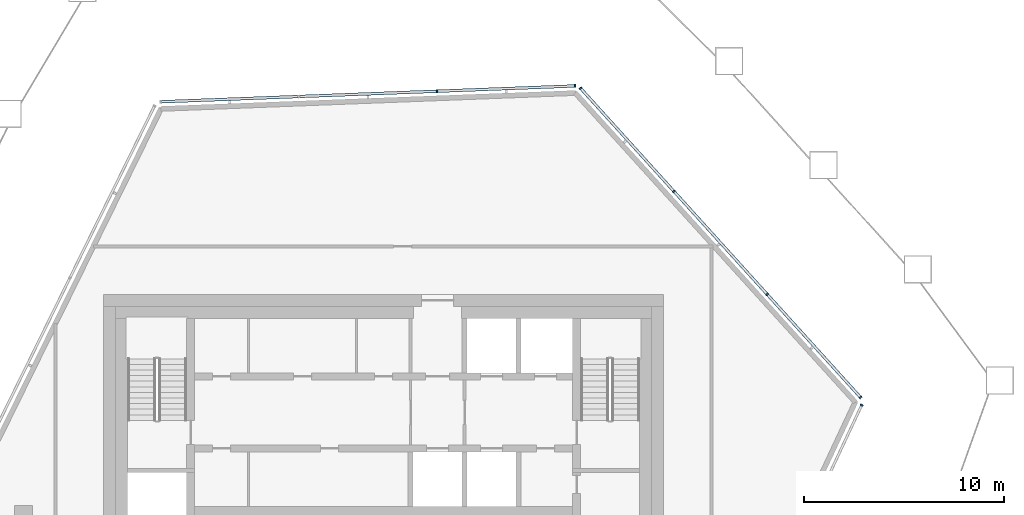
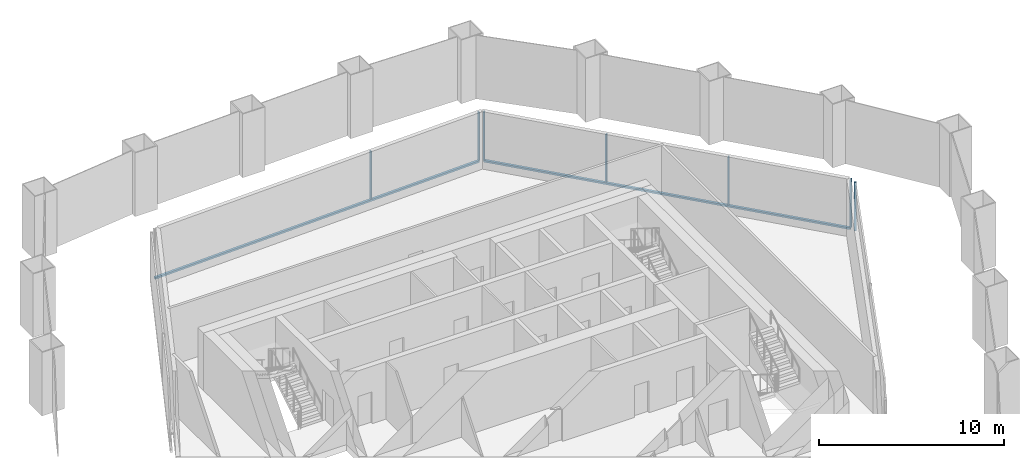
# One storey, part 6 of 18: 9 members, 3 elements without a shape of their own.
"""IFC4 building model written with IfcOpenShell, lengths in metres."""

import ifcopenshell
import ifcopenshell.guid

model = None  # the IFC model being written
_history = None  # IfcOwnerHistory: only IFC2X3 demands one
_inside = {}  # id of a spatial element -> (the spatial element, [elements in it])
_under = {}  # id of a project, library or spatial element -> (it, [spatial elements below it])
_declared = {}  # id of a project -> (the project, [libraries it declares])
_typed = {}  # id of a type object -> (the type object, [elements of that type])
_made_of = {}  # id of a material, layer set ... -> (it, [elements and type objects made of it])


def new_model(schema):
    """Start an empty IFC model of exactly this schema.

    Asked for "IFC4X3", IfcOpenShell would pick the latest addendum, in which some entities
    have other attributes; the version numbers below select the first issue.
    IFC2X3 requires an IfcOwnerHistory on every rooted entity: one is made here for all.
    """
    global model, _history
    if schema == "IFC4X3":
        model = ifcopenshell.file(schema_version=(4, 3, 0, 0))
    else:
        model = ifcopenshell.file(schema=schema)
    _inside.clear()
    _under.clear()
    _declared.clear()
    _typed.clear()
    _made_of.clear()
    _history = None
    if model.schema == "IFC2X3":
        org = make("IfcOrganization", Name="unknown")
        user = make(
            "IfcPersonAndOrganization",
            ThePerson=make("IfcPerson", FamilyName="unknown"),
            TheOrganization=org,
        )
        app = make(
            "IfcApplication",
            ApplicationDeveloper=org,
            Version="unknown",
            ApplicationFullName="unknown",
            ApplicationIdentifier="unknown",
        )
        _history = make(
            "IfcOwnerHistory",
            OwningUser=user,
            OwningApplication=app,
            ChangeAction="ADDED",
            CreationDate=0,
        )
    return model


def make(cls, **values):
    """One entity of the class cls with the attributes given. An attribute that is None is left unset."""
    return model.create_entity(
        cls, **{name: value for name, value in values.items() if value is not None}
    )


def rooted(cls, **values):
    """An entity with a GlobalId (a new one), such as an element, a storey or a relation."""
    return make(cls, GlobalId=ifcopenshell.guid.new(), OwnerHistory=_history, **values)


def si_unit(unit_type, name, prefix=None):
    """IfcSIUnit, for example si_unit("LENGTHUNIT", "METRE", prefix="MILLI")."""
    return make("IfcSIUnit", UnitType=unit_type, Prefix=prefix, Name=name)


def assignment(units):
    """IfcUnitAssignment: the units of a project."""
    return None if units is None else make("IfcUnitAssignment", Units=units)


def point(xyz):
    """IfcCartesianPoint."""
    return None if xyz is None else make("IfcCartesianPoint", Coordinates=xyz)


def direction(xyz):
    """IfcDirection."""
    return None if xyz is None else make("IfcDirection", DirectionRatios=xyz)


def frame(location, z_axis=None, x_axis=None):
    """IfcAxis2Placement3D, a coordinate frame: its origin and axes. An axis left out is left unset."""
    return make(
        "IfcAxis2Placement3D",
        Location=point(location),
        Axis=direction(z_axis),
        RefDirection=direction(x_axis),
    )


def frame_2d(location, x_axis=None):
    """IfcAxis2Placement2D, a coordinate frame in the plane: its origin and x axis."""
    return make(
        "IfcAxis2Placement2D", Location=point(location), RefDirection=direction(x_axis)
    )


def origin():
    """The frame at (0, 0, 0) with its axes left unset."""
    return frame((0.0, 0.0, 0.0))


def origin_2d():
    """The frame at (0, 0) in the plane with its x axis left unset."""
    return frame_2d((0.0, 0.0))


def place(relative_to, where):
    """IfcLocalPlacement: puts the frame where relative to a parent placement (None: the world)."""
    return make(
        "IfcLocalPlacement", PlacementRelTo=relative_to, RelativePlacement=where
    )


def context(
    kind, dimensions, precision=None, world=None, true_north=None, identifier=None
):
    """IfcGeometricRepresentationContext, for example the 3D "Model" context."""
    return make(
        "IfcGeometricRepresentationContext",
        ContextIdentifier=identifier,
        ContextType=kind,
        CoordinateSpaceDimension=dimensions,
        Precision=precision,
        WorldCoordinateSystem=world,
        TrueNorth=true_north,
    )


def subcontext(parent, identifier, kind, view, scale=None):
    """IfcGeometricRepresentationSubContext, for example "Body" below "Model"."""
    return make(
        "IfcGeometricRepresentationSubContext",
        ContextIdentifier=identifier,
        ContextType=kind,
        ParentContext=parent,
        TargetScale=scale,
        TargetView=view,
    )


def project(units=None, contexts=None):
    """IfcProject with its units and contexts."""
    return rooted(
        "IfcProject",
        Name="project",
        RepresentationContexts=contexts,
        UnitsInContext=assignment(units),
    )


def spatial(cls, under=None, at=None, **own):
    """A site, building, storey or space (cls), placed at a placement, below another one or the project."""
    s = rooted(cls, ObjectPlacement=at, **own)
    if under is not None:
        _under.setdefault(under.id(), (under, []))[1].append(s)
    return s


def profile(cls, at=None, kind="AREA", **sizes):
    """A parametric profile (cls). Its sizes go by their IFC names, for example OverallWidth=200.0."""
    return make(cls, ProfileType=kind, Position=at, **sizes)


def rectangle(**sizes):
    """IfcRectangleProfileDef."""
    return profile("IfcRectangleProfileDef", **sizes)


def extrude(swept, where, along, depth):
    """IfcExtrudedAreaSolid: the profile swept, set in the frame where, extruded along a direction by depth."""
    return make(
        "IfcExtrudedAreaSolid",
        SweptArea=swept,
        Position=where,
        ExtrudedDirection=direction(along),
        Depth=depth,
    )


def shape(context_of_items, identifier, shape_type, items):
    """IfcShapeRepresentation: the items that make up one representation, for example the "Body"."""
    return make(
        "IfcShapeRepresentation",
        ContextOfItems=context_of_items,
        RepresentationIdentifier=identifier,
        RepresentationType=shape_type,
        Items=items,
    )


def material(Name=None, Category=None):
    """IfcMaterial."""
    return make("IfcMaterial", Name=Name, Category=Category)


def layer(
    of_material, thickness, ventilated=None, Name=None, Category=None, Priority=None
):
    """IfcMaterialLayer: one layer of a wall or slab, of a material (None: an air gap)."""
    return make(
        "IfcMaterialLayer",
        Material=of_material,
        LayerThickness=thickness,
        IsVentilated=ventilated,
        Name=Name,
        Category=Category,
        Priority=Priority,
    )


def layer_set(layers, Name=None):
    """IfcMaterialLayerSet."""
    return make("IfcMaterialLayerSet", MaterialLayers=layers, LayerSetName=Name)


def material_profile(
    of_material, cross_section, Name=None, Category=None, Priority=None
):
    """IfcMaterialProfile: a cross section and its material."""
    return make(
        "IfcMaterialProfile",
        Name=Name,
        Material=of_material,
        Profile=cross_section,
        Priority=Priority,
        Category=Category,
    )


def profile_set(profiles, Name=None, composite=None):
    """IfcMaterialProfileSet."""
    return make(
        "IfcMaterialProfileSet",
        Name=Name,
        MaterialProfiles=profiles,
        CompositeProfile=composite,
    )


def made_of(thing, what):
    """Note that an element or type object is made of a material, layer set ...; save() writes the relation."""
    if what is not None:
        _made_of.setdefault(what.id(), (what, []))[1].append(thing)
    return thing


def type_object(cls, material=None, **own):
    """A type object (cls), such as IfcWallType, which elements share."""
    return made_of(rooted(cls, **own), material)


def element(
    cls,
    number,
    at=None,
    inside=None,
    cuts=None,
    type_object=None,
    material=None,
    context=None,
    identifier="Body",
    shape_type=None,
    held_by="IfcProductDefinitionShape",
    body=None,
    shapes=None,
    **own,
):
    """One element of the class cls, such as IfcWall. Its Tag is "e" and its number.

    at: its placement. inside: the storey or other place that contains it. cuts: it is an
    opening in that element (IfcRelVoidsElement). A single representation is given by context,
    identifier, shape_type and body (its items); several are given by shapes. held_by: the class
    of the entity that holds the representations. save() writes the other relations.
    """
    e = rooted(cls, Tag="e%d" % number, ObjectPlacement=at, **own)
    if body is not None:
        shapes = [shape(context, identifier, shape_type, body)]
    if shapes is not None:
        e.Representation = make(held_by, Representations=shapes)
    if inside is not None:
        _inside.setdefault(inside.id(), (inside, []))[1].append(e)
    if cuts is not None:
        rooted(
            "IfcRelVoidsElement", RelatingBuildingElement=cuts, RelatedOpeningElement=e
        )
    if type_object is not None:
        _typed.setdefault(type_object.id(), (type_object, []))[1].append(e)
    return made_of(e, material)


def aggregate(whole, parts):
    """IfcRelAggregates: a whole, such as a stair, and the parts it consists of."""
    return rooted("IfcRelAggregates", RelatingObject=whole, RelatedObjects=parts)


def save(model, path):
    """Write the relations noted so far, then the file.

    IfcRelAggregates (storeys below a building ...), IfcRelContainedInSpatialStructure (elements
    in a storey), IfcRelDefinesByType, IfcRelAssociatesMaterial and IfcRelDeclares: one each for
    every whole, place, type object, material and project.
    """
    for whole, parts in _under.values():
        aggregate(whole, parts)
    for where, things in _inside.values():
        rooted(
            "IfcRelContainedInSpatialStructure",
            RelatedElements=things,
            RelatingStructure=where,
        )
    for kind, things in _typed.values():
        rooted("IfcRelDefinesByType", RelatedObjects=things, RelatingType=kind)
    for what, things in _made_of.values():
        rooted("IfcRelAssociatesMaterial", RelatedObjects=things, RelatingMaterial=what)
    for by, libraries in _declared.values():
        rooted("IfcRelDeclares", RelatingContext=by, RelatedDefinitions=libraries)
    model.write(path)


model = new_model("IFC4")

# Units and contexts
model_context = context("Model", 3, precision=1e-05, world=origin(), true_north=direction((0.0, 1.0)))
body_context = subcontext(model_context, "Body", "Model", "MODEL_VIEW")
ifc_project = project(units=[si_unit("LENGTHUNIT", "METRE"), si_unit("AREAUNIT", "SQUARE_METRE"), si_unit("VOLUMEUNIT", "CUBIC_METRE"), si_unit("PLANEANGLEUNIT", "RADIAN"), si_unit("MASSUNIT", "GRAM", prefix="KILO")], contexts=[model_context])

# Site, building, storey
site_placement = place(None, origin())
site = spatial("IfcSite", under=ifc_project, at=site_placement, CompositionType="ELEMENT")
building_placement = place(site_placement, origin())
building = spatial("IfcBuilding", under=site, at=building_placement, Name="Dongbaek Canopy Tower", CompositionType="ELEMENT")
storey_placement = place(building_placement, frame((0.0, 0.0, 363.199951171875)))
storey = spatial("IfcBuildingStorey", under=building, at=storey_placement, Name="L78", CompositionType="ELEMENT", Elevation=363.199951171875)

# Curtain wall, member
ifc_material_1 = material(Name="Aluminium 6063-T6 pale anodised", Category="aluminium")
ifc_layer = layer(ifc_material_1, 0.14990234375)
ifc_layer_set = layer_set([ifc_layer], Name="CW-7 louvre curtain wall")
curtain_wall_type = type_object("IfcCurtainWallType", Name="CW-7 louvre curtain wall", PredefinedType="NOTDEFINED", material=ifc_layer_set)
curtain_wall_1_placement = place(storey_placement, origin())
curtain_wall_1 = element("IfcCurtainWall", 1, at=curtain_wall_1_placement, inside=storey, type_object=curtain_wall_type, Name="CW-7 louvre wall L78 F1", PredefinedType="NOTDEFINED")
ifc_material_2 = material(Name="Aluminium 6063-T6 pale anodised", Category="aluminium")
ifc_material_profile_1 = material_profile(ifc_material_2, rectangle(XDim=0.14990234375, YDim=0.080078125, at=origin_2d()), Name="CW-7 mullion 80 x 150")
ifc_profile_set_1 = profile_set([ifc_material_profile_1], Name="Aluminium 6063-T6 pale anodised")
member_type_1 = type_object("IfcMemberType", Name="CW-7 mullion 80 x 150", PredefinedType="MULLION", material=ifc_profile_set_1)
member_1_placement = place(storey_placement, frame((23.899658203125, 5.46533203125, 0.300048828125), z_axis=(0.0, 0.0, 1.0), x_axis=(0.905604659029, -0.42412286138, 0.0)))
member_1 = element("IfcMember", 2, at=member_1_placement, type_object=member_type_1, Name="CW-7 mullion L78 F1.1.4", PredefinedType="MULLION", context=body_context, shape_type="SweptSolid", body=[
    extrude(rectangle(XDim=0.14990234375, YDim=0.080078125, at=origin_2d()), origin(), (0.0, 0.0, 1.0), 3.199951171875),
])
aggregate(curtain_wall_1, [member_1])

# Curtain wall, members
curtain_wall_2_placement = place(storey_placement, origin())
curtain_wall_2 = element("IfcCurtainWall", 3, at=curtain_wall_2_placement, inside=storey, type_object=curtain_wall_type, Name="CW-7 louvre wall L78 F2", PredefinedType="NOTDEFINED")
member_2_placement = place(storey_placement, frame((23.84228515625, 5.848876953125, 0.300048828125), z_axis=(0.0, 0.0, 1.0), x_axis=(0.741222228581, 0.671259717142, 0.0)))
member_2 = element("IfcMember", 4, at=member_2_placement, type_object=member_type_1, Name="CW-7 mullion L78 F2.1.1", PredefinedType="MULLION", context=body_context, shape_type="SweptSolid", body=[
    extrude(rectangle(XDim=0.14990234375, YDim=0.080078125, at=origin_2d()), origin(), (0.0, 0.0, 1.0), 3.199951171875),
])
member_3_placement = place(storey_placement, frame((19.17578125, 11.001708984375, 0.300048828125), z_axis=(0.0, 0.0, 1.0), x_axis=(0.741222228581, 0.671259717142, 0.0)))
member_3 = element("IfcMember", 5, at=member_3_placement, type_object=member_type_1, Name="CW-7 mullion L78 F2.1.2", PredefinedType="MULLION", context=body_context, shape_type="SweptSolid", body=[
    extrude(rectangle(XDim=0.14990234375, YDim=0.080078125, at=origin_2d()), origin(), (0.0, 0.0, 1.0), 3.199951171875),
])
member_4_placement = place(storey_placement, frame((14.509033203125, 16.154541015625, 0.300048828125), z_axis=(0.0, 0.0, 1.0), x_axis=(0.741222228581, 0.671259717142, 0.0)))
member_4 = element("IfcMember", 6, at=member_4_placement, type_object=member_type_1, Name="CW-7 mullion L78 F2.1.3", PredefinedType="MULLION", context=body_context, shape_type="SweptSolid", body=[
    extrude(rectangle(XDim=0.14990234375, YDim=0.080078125, at=origin_2d()), origin(), (0.0, 0.0, 1.0), 3.199951171875),
])
member_5_placement = place(storey_placement, frame((9.842529296875, 21.307373046875, 0.300048828125), z_axis=(0.0, 0.0, 1.0), x_axis=(0.741222228581, 0.671259717142, 0.0)))
member_5 = element("IfcMember", 7, at=member_5_placement, type_object=member_type_1, Name="CW-7 mullion L78 F2.1.4", PredefinedType="MULLION", context=body_context, shape_type="SweptSolid", body=[
    extrude(rectangle(XDim=0.14990234375, YDim=0.080078125, at=origin_2d()), origin(), (0.0, 0.0, 1.0), 3.199951171875),
])

curtain_wall_3_placement = place(storey_placement, origin())
curtain_wall_3 = element("IfcCurtainWall", 8, at=curtain_wall_3_placement, inside=storey, type_object=curtain_wall_type, Name="CW-7 louvre wall L78 F3", PredefinedType="NOTDEFINED")
member_6_placement = place(storey_placement, frame((9.56982421875, 21.42236328125, 0.300048828125), z_axis=(0.0, 0.0, 1.0), x_axis=(-0.038231979514, 0.999268890611, 0.0)))
member_6 = element("IfcMember", 9, at=member_6_placement, type_object=member_type_1, Name="CW-7 mullion L78 F3.1.1", PredefinedType="MULLION", context=body_context, shape_type="SweptSolid", body=[
    extrude(rectangle(XDim=0.14990234375, YDim=0.080078125, at=origin_2d()), origin(), (0.0, 0.0, 1.0), 3.199951171875),
])
member_7_placement = place(storey_placement, frame((2.66259765625, 21.157958984375, 0.300048828125), z_axis=(0.0, 0.0, 1.0), x_axis=(-0.038231979514, 0.999268890611, 0.0)))
member_7 = element("IfcMember", 10, at=member_7_placement, type_object=member_type_1, Name="CW-7 mullion L78 F3.1.2", PredefinedType="MULLION", context=body_context, shape_type="SweptSolid", body=[
    extrude(rectangle(XDim=0.14990234375, YDim=0.080078125, at=origin_2d()), origin(), (0.0, 0.0, 1.0), 3.199951171875),
])

# Member
ifc_material_3 = material(Name="Aluminium 6063-T6 pale anodised", Category="aluminium")
ifc_material_profile_2 = material_profile(ifc_material_3, rectangle(XDim=0.14990234375, YDim=0.1201171875, at=origin_2d()), Name="CW-7 transom 120 x 150")
ifc_profile_set_2 = profile_set([ifc_material_profile_2], Name="Aluminium 6063-T6 pale anodised")
member_type_2 = type_object("IfcMemberType", Name="CW-7 transom 120 x 150", PredefinedType="USERDEFINED", material=ifc_profile_set_2)
member_8_placement = place(storey_placement, frame((23.84228515625, 5.848876953125, 0.239990234375), z_axis=(-0.671269118368, 0.741213714609, 0.0), x_axis=(-0.741213714609, -0.671269118368, 0.0)))
member_8 = element("IfcMember", 11, at=member_8_placement, type_object=member_type_2, Name="CW-7 transom L78 F2.1", ObjectType="TRANSOM", PredefinedType="USERDEFINED", context=body_context, shape_type="SweptSolid", body=[
    extrude(rectangle(XDim=0.14990234375, YDim=0.1201171875, at=origin_2d()), origin(), (0.0, 0.0, 1.0), 20.855712890625),
])

aggregate(curtain_wall_2, [member_8, member_2, member_3, member_4, member_5])

member_9_placement = place(storey_placement, frame((9.56982421875, 21.42236328125, 0.239990234375), z_axis=(-0.999268598968, -0.038239601412, 0.0), x_axis=(0.038239601412, -0.999268598968, 0.0)))
member_9 = element("IfcMember", 12, at=member_9_placement, type_object=member_type_2, Name="CW-7 transom L78 F3.1", ObjectType="TRANSOM", PredefinedType="USERDEFINED", context=body_context, shape_type="SweptSolid", body=[
    extrude(rectangle(XDim=0.14990234375, YDim=0.1201171875, at=origin_2d()), origin(), (0.0, 0.0, 1.0), 20.73681640625),
])

aggregate(curtain_wall_3, [member_9, member_6, member_7])

save(model, "model.ifc")
